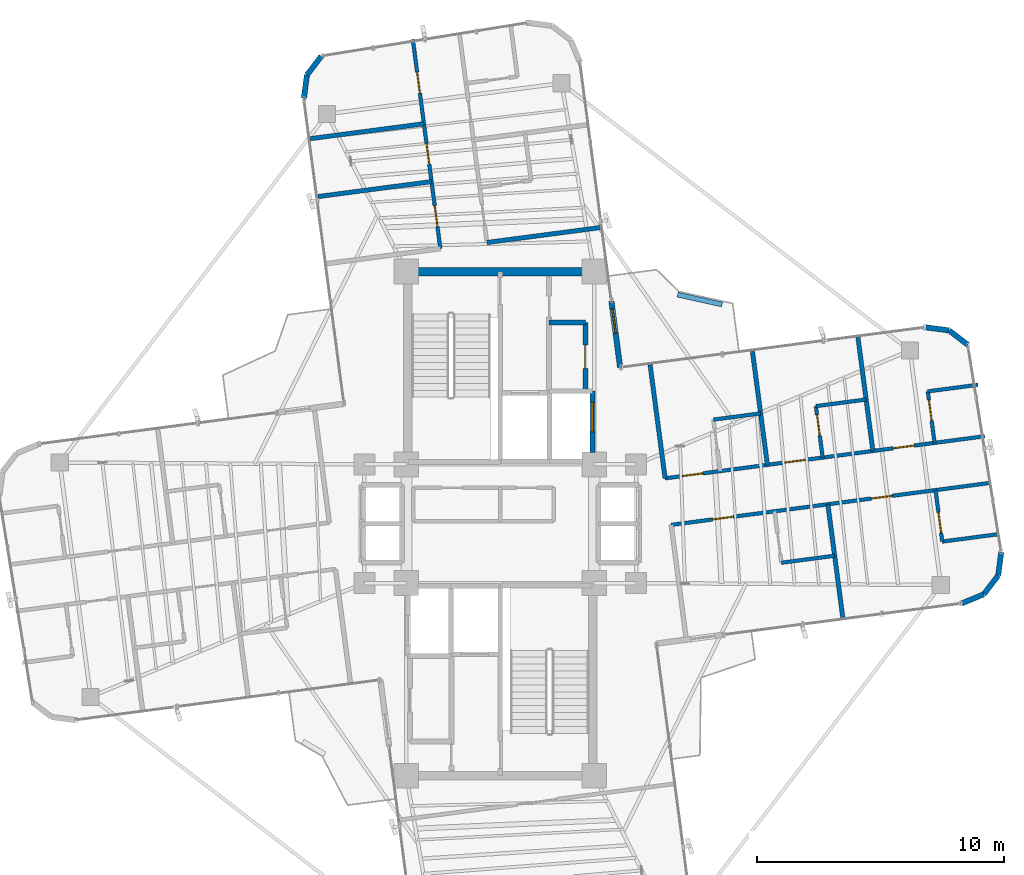
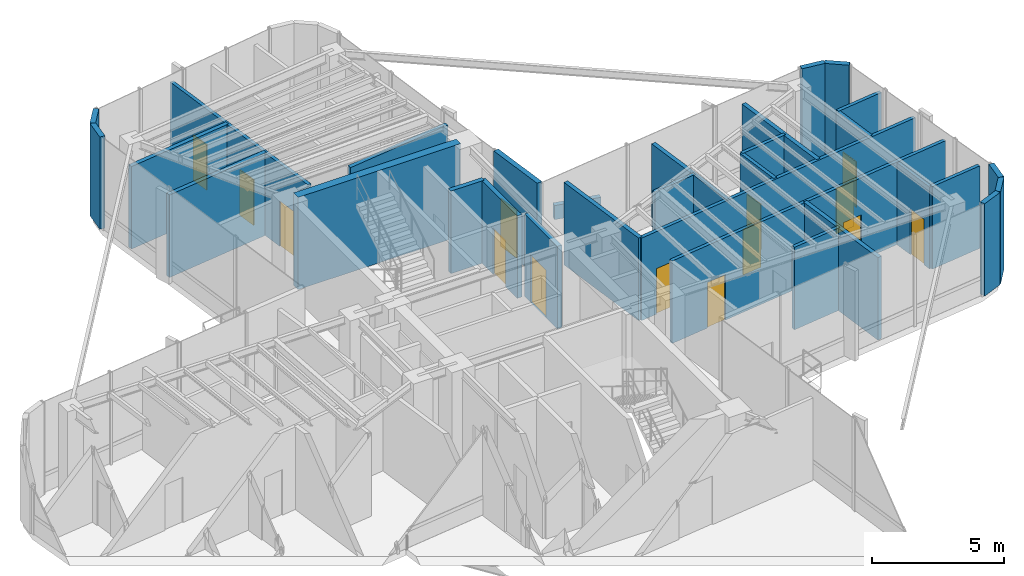
# One storey, part 18 of 20: 31 walls, 14 doors, 14 openings.
"""IFC4 building model written with IfcOpenShell, lengths in metres."""

from ifc_helpers import new_model, si_unit, direction, frame, frame_2d, origin, origin_2d, place, context, subcontext, project, spatial, rectangle, extrude, source, transform, mapped, material, layer, layer_set, type_object, element, fill, save


model = new_model("IFC4")

# Units and contexts
model_context = context("Model", 3, precision=1e-05, world=origin(), true_north=direction((0.0, 1.0)))
body_context = subcontext(model_context, "Body", "Model", "MODEL_VIEW")
ifc_project = project(units=[si_unit("LENGTHUNIT", "METRE"), si_unit("AREAUNIT", "SQUARE_METRE"), si_unit("VOLUMEUNIT", "CUBIC_METRE"), si_unit("PLANEANGLEUNIT", "RADIAN"), si_unit("MASSUNIT", "GRAM", prefix="KILO")], contexts=[model_context])

# Site, building, storey
site_placement = place(None, origin())
site = spatial("IfcSite", under=ifc_project, at=site_placement, CompositionType="ELEMENT")
building_placement = place(site_placement, origin())
building = spatial("IfcBuilding", under=site, at=building_placement, Name="Sahyath Konkavel Grand Hotel", CompositionType="ELEMENT")
storey_placement = place(building_placement, frame((0.0, 0.0, 229.949951171875)))
storey = spatial("IfcBuildingStorey", under=building, at=storey_placement, Name="L64", CompositionType="ELEMENT", Elevation=229.949951171875)

# Walls
ifc_material_1 = material(Name="Concrete C40/50", Category="concrete")
ifc_layer_1 = layer(ifc_material_1, 0.35009765625)
ifc_layer_set_1 = layer_set([ifc_layer_1], Name="Concrete C40/50")
wall_type_1 = type_object("IfcWallType", Name="CWALL-350", PredefinedType="SHEAR", material=ifc_layer_set_1)
wall_1_placement = place(storey_placement, frame((-3.550048828125, 10.199951171875, 0.0), z_axis=(0.0, 0.0, 1.0), x_axis=(1.0, 0.0, 0.0)))
element("IfcWall", 1, at=wall_1_placement, inside=storey, type_object=wall_type_1, Name="L64 North Core Shear Wall N", PredefinedType="SHEAR", context=body_context, shape_type="SweptSolid", body=[
    extrude(rectangle(XDim=7.10009765625, YDim=0.35009765625, at=frame_2d((3.550048828125, 0.0))), origin(), (0.0, 0.0, 1.0), 4.260009765625),
])
ifc_material_2 = material(Name="Warm Buff Sandstone Insulated Concrete C40/50", Category="masonry")
ifc_layer_2 = layer(ifc_material_2, 0.219970703125)
ifc_layer_set_2 = layer_set([ifc_layer_2], Name="Warm Buff Sandstone Insulated Concrete C40/50")
wall_type_2 = type_object("IfcWallType", Name="WLL-BALC-THRESH", PredefinedType="STANDARD", material=ifc_layer_set_2)
wall_2_placement = place(storey_placement, frame((18.677490234375, -3.22265625, 0.0), z_axis=(0.0, 0.0, 1.0), x_axis=(0.923889442397, 0.382659506909, 0.0)))
element("IfcWall", 2, at=wall_2_placement, inside=storey, type_object=wall_type_2, Name="L64 Rounded Corner Sandstone Pier 1", PredefinedType="STANDARD", context=body_context, shape_type="SweptSolid", body=[
    extrude(rectangle(XDim=0.957763671875, YDim=0.219970703125, at=frame_2d((0.47900390625, 0.0))), origin(), (0.0, 0.0, 1.0), 4.260009765625),
])
wall_3_placement = place(storey_placement, frame((19.562255859375, -2.856201171875, 0.0), z_axis=(0.0, 0.0, 1.0), x_axis=(0.60861352168, 0.793466811674, 0.0)))
element("IfcWall", 3, at=wall_3_placement, inside=storey, type_object=wall_type_2, Name="L64 Rounded Corner Sandstone Pier 2", PredefinedType="STANDARD", context=body_context, shape_type="SweptSolid", body=[
    extrude(rectangle(XDim=0.95751953125, YDim=0.219970703125, at=frame_2d((0.478759765625, 0.0))), origin(), (0.0, 0.0, 1.0), 4.260009765625),
])
wall_4_placement = place(storey_placement, frame((20.14501953125, -2.096435546875, 0.0), z_axis=(0.0, 0.0, 1.0), x_axis=(0.130527053476, 0.991444747987, 0.0)))
element("IfcWall", 4, at=wall_4_placement, inside=storey, type_object=wall_type_2, Name="L64 Rounded Corner Sandstone Pier 3", PredefinedType="STANDARD", context=body_context, shape_type="SweptSolid", body=[
    extrude(rectangle(XDim=0.957763671875, YDim=0.219970703125, at=frame_2d((0.47900390625, 0.0))), origin(), (0.0, 0.0, 1.0), 4.260009765625),
])
wall_5_placement = place(storey_placement, frame((18.916015625, 7.239013671875, 0.0), z_axis=(0.0, 0.0, 1.0), x_axis=(-0.793249178392, 0.608897151398, 0.0)))
element("IfcWall", 5, at=wall_5_placement, inside=storey, type_object=wall_type_2, Name="L64 Rounded Corner Sandstone Pier 5", PredefinedType="STANDARD", context=body_context, shape_type="SweptSolid", body=[
    extrude(rectangle(XDim=0.95751953125, YDim=0.219970703125, at=frame_2d((0.478759765625, 0.0))), origin(), (0.0, 0.0, 1.0), 4.260009765625),
])
wall_6_placement = place(storey_placement, frame((18.156494140625, 7.822021484375, 0.0), z_axis=(0.0, 0.0, 1.0), x_axis=(-0.991449089759, 0.130494070426, 0.0)))
element("IfcWall", 6, at=wall_6_placement, inside=storey, type_object=wall_type_2, Name="L64 Rounded Corner Sandstone Pier 6", PredefinedType="STANDARD", context=body_context, shape_type="SweptSolid", body=[
    extrude(rectangle(XDim=0.9580078125, YDim=0.219970703125, at=frame_2d((0.47900390625, 0.0))), origin(), (0.0, 0.0, 1.0), 4.260009765625),
])

# Wall, opening, door
wall_7_placement = place(storey_placement, frame((4.849609375, 6.320068359375, 0.0), z_axis=(0.0, 0.0, 1.0), x_axis=(-0.130475563272, 0.991451525486, 0.0)))
wall_7 = element("IfcWall", 7, at=wall_7_placement, inside=storey, type_object=wall_type_2, Name="L64 Winter-Garden Threshold Wall 8", PredefinedType="STANDARD", context=body_context, shape_type="SweptSolid", body=[
    extrude(rectangle(XDim=2.7001953125, YDim=0.219970703125, at=frame_2d((1.35009765625, 0.0))), origin(), (0.0, 0.0, 1.0), 4.260009765625),
])
opening_1_placement = place(wall_7_placement, frame((1.39990234375, 0.0, 0.0)))
opening_1 = element("IfcOpeningElement", 8, at=opening_1_placement, cuts=wall_7, Name="Opening D-TR1", PredefinedType="OPENING", context=body_context, shape_type="SweptSolid", body=[
    extrude(rectangle(XDim=1.0, YDim=2.199951171875, at=frame_2d((0.5, 1.10009765625))), frame((0.0, 0.1201171875, 0.0), z_axis=(0.0, -1.0, 0.0), x_axis=(1.0, 0.0, 0.0)), (0.0, 0.0, 1.0), 0.239990234375),
])
ifc_material_3 = material(Name="Anodised Bronze Aluminium & Low-E Glazing", Category="aluminium")
door_type_1 = type_object("IfcDoorType", Name="DR-TERRACE-1000", OperationType="NOTDEFINED", PredefinedType="DOOR", material=ifc_material_3)
shared_shape_1 = source(origin(), body_context, "Body", "SweptSolid", [
    extrude(rectangle(XDim=1.0, YDim=0.050048828125, at=origin_2d()), origin(), (0.0, 0.0, 1.0), 2.199951171875),
])
door_1_placement = place(opening_1_placement, frame((0.5, 0.0, 0.0)))
door_1 = element("IfcDoor", 9, at=door_1_placement, inside=storey, type_object=door_type_1, Name="L64 Winter-Garden Terrace Door 8", OperationType="SINGLE_SWING_LEFT", OverallHeight=2.199951171875, OverallWidth=1.0, PredefinedType="DOOR", context=body_context, shape_type="MappedRepresentation", body=[
    mapped(shared_shape_1, transform((0.0, 0.0, 0.0), scale=1.0)),
])
fill(opening_1, door_1)

# Walls
wall_8_placement = place(storey_placement, frame((-7.239013671875, 18.916015625, 0.0), z_axis=(0.0, 0.0, 1.0), x_axis=(-0.608897151398, -0.793249178392, 0.0)))
element("IfcWall", 10, at=wall_8_placement, inside=storey, type_object=wall_type_2, Name="L64 Rounded Corner Sandstone Pier 13", PredefinedType="STANDARD", context=body_context, shape_type="SweptSolid", body=[
    extrude(rectangle(XDim=0.95751953125, YDim=0.219970703125, at=frame_2d((0.478759765625, 0.0))), origin(), (0.0, 0.0, 1.0), 4.260009765625),
])
wall_9_placement = place(storey_placement, frame((-7.822021484375, 18.156494140625, 0.0), z_axis=(0.0, 0.0, 1.0), x_axis=(-0.130494070426, -0.991449089759, 0.0)))
element("IfcWall", 11, at=wall_9_placement, inside=storey, type_object=wall_type_2, Name="L64 Rounded Corner Sandstone Pier 14", PredefinedType="STANDARD", context=body_context, shape_type="SweptSolid", body=[
    extrude(rectangle(XDim=0.9580078125, YDim=0.219970703125, at=frame_2d((0.47900390625, 0.0))), origin(), (0.0, 0.0, 1.0), 4.260009765625),
])

# Wall, opening, door
ifc_layer_3 = layer(ifc_material_1, 0.199951171875)
ifc_layer_set_3 = layer_set([ifc_layer_3], Name="Concrete C40/50")
wall_type_3 = type_object("IfcWallType", Name="WLL-CORE-200", PredefinedType="SOLIDWALL", material=ifc_layer_set_3)
wall_10_placement = place(storey_placement, frame((3.739990234375, 2.8798828125, 0.0), z_axis=(0.0, 0.0, 1.0), x_axis=(0.0, 1.0, 0.0)))
wall_10 = element("IfcWall", 12, at=wall_10_placement, inside=storey, type_object=wall_type_3, Name="L64 Partition SH-SVL1-E", PredefinedType="SOLIDWALL", context=body_context, shape_type="SweptSolid", body=[
    extrude(rectangle(XDim=2.480224609375, YDim=0.199951171875, at=frame_2d((1.240234375, 0.0))), origin(), (0.0, 0.0, 1.0), 3.81005859375),
])
opening_2_placement = place(wall_10_placement, frame((0.840087890625, 0.0, 0.0)))
opening_2 = element("IfcOpeningElement", 13, at=opening_2_placement, cuts=wall_10, Name="Opening LD-12", PredefinedType="OPENING", context=body_context, shape_type="SweptSolid", body=[
    extrude(rectangle(XDim=1.199951171875, YDim=2.199951171875, at=frame_2d((0.60009765625, 1.10009765625))), frame((0.0, 0.10986328125, 0.0), z_axis=(0.0, -1.0, 0.0), x_axis=(1.0, 0.0, 0.0)), (0.0, 0.0, 1.0), 0.219970703125),
])
ifc_material_4 = material(Name="Stainless Steel Lift Landing Door 1200", Category="steel")
door_type_2 = type_object("IfcDoorType", Name="DR-LIFT-1200", OperationType="DOUBLE_DOOR_SLIDING", PredefinedType="DOOR", material=ifc_material_4)
shared_shape_2 = source(origin(), body_context, "Body", "SweptSolid", [
    extrude(rectangle(XDim=1.199951171875, YDim=0.050048828125, at=origin_2d()), origin(), (0.0, 0.0, 1.0), 2.199951171875),
])
door_2_placement = place(opening_2_placement, frame((0.60009765625, 0.0, 0.0)))
door_2 = element("IfcDoor", 14, at=door_2_placement, inside=storey, type_object=door_type_2, Name="L64 Service Lift SVL-1 Landing Door", OperationType="DOUBLE_DOOR_SLIDING", OverallHeight=2.199951171875, OverallWidth=1.199951171875, PredefinedType="DOOR", context=body_context, shape_type="MappedRepresentation", body=[
    mapped(shared_shape_2, transform((0.0, 0.0, 0.0), scale=1.0)),
])
fill(opening_2, door_2)

wall_11_placement = place(storey_placement, frame((3.43994140625, 5.3798828125, 0.0), z_axis=(0.0, 0.0, 1.0), x_axis=(0.0, 1.0, 0.0)))
wall_11 = element("IfcWall", 15, at=wall_11_placement, inside=storey, type_object=wall_type_3, Name="L64 Reclaimed North Core Wall E", PredefinedType="SOLIDWALL", context=body_context, shape_type="SweptSolid", body=[
    extrude(rectangle(XDim=2.77001953125, YDim=0.199951171875, at=frame_2d((1.385009765625, 0.0))), origin(), (0.0, 0.0, 1.0), 3.81005859375),
])
opening_3_placement = place(wall_11_placement, frame((0.89990234375, 0.0, 0.0)))
opening_3 = element("IfcOpeningElement", 16, at=opening_3_placement, cuts=wall_11, Name="Opening D-F06B", PredefinedType="OPENING", context=body_context, shape_type="SweptSolid", body=[
    extrude(rectangle(XDim=0.949951171875, YDim=2.14990234375, at=frame_2d((0.47509765625, 1.074951171875))), frame((0.0, 0.10986328125, 0.0), z_axis=(0.0, -1.0, 0.0), x_axis=(1.0, 0.0, 0.0)), (0.0, 0.0, 1.0), 0.219970703125),
])
ifc_material_5 = material(Name="Teak Veneer Fire-Rated Guest Entrance Door")
door_type_3 = type_object("IfcDoorType", Name="DR-FD60-950", OperationType="NOTDEFINED", PredefinedType="DOOR", material=ifc_material_5)
shared_shape_3 = source(origin(), body_context, "Body", "SweptSolid", [
    extrude(rectangle(XDim=0.949951171875, YDim=0.050048828125, at=origin_2d()), origin(), (0.0, 0.0, 1.0), 2.14990234375),
])
door_3_placement = place(opening_3_placement, frame((0.47509765625, 0.0, 0.0)))
door_3 = element("IfcDoor", 17, at=door_3_placement, inside=storey, type_object=door_type_3, Name="L64 Door NC-REC1-D", OperationType="SINGLE_SWING_RIGHT", OverallHeight=2.14990234375, OverallWidth=0.949951171875, PredefinedType="DOOR", context=body_context, shape_type="MappedRepresentation", body=[
    mapped(shared_shape_3, transform((0.0, 0.0, 0.0), scale=1.0)),
])
fill(opening_3, door_3)

# Walls
wall_12_placement = place(storey_placement, frame((1.97998046875, 8.14990234375, 0.0), z_axis=(0.0, 0.0, 1.0), x_axis=(1.0, 0.0, 0.0)))
element("IfcWall", 18, at=wall_12_placement, inside=storey, type_object=wall_type_3, Name="L64 Partition NC-REC-N", PredefinedType="SOLIDWALL", context=body_context, shape_type="SweptSolid", body=[
    extrude(rectangle(XDim=1.4599609375, YDim=0.199951171875, at=frame_2d((0.72998046875, 0.0))), origin(), (0.0, 0.0, 1.0), 3.81005859375),
])
ifc_material_6 = material(Name="Twin-Stud Acoustic Gypsum Plasterboard Partition")
ifc_layer_4 = layer(ifc_material_6, 0.179931640625)
ifc_layer_set_4 = layer_set([ifc_layer_4], Name="Twin-Stud Acoustic Gypsum Plasterboard Partition")
wall_type_4 = type_object("IfcWallType", Name="WLL-DEMISE-180", PredefinedType="PARTITIONING", material=ifc_layer_set_4)
wall_13_placement = place(storey_placement, frame((6.66748046875, 1.8359375, 0.0), z_axis=(0.0, 0.0, 1.0), x_axis=(-0.130530849518, 0.991444248218, 0.0)))
element("IfcWall", 19, at=wall_13_placement, inside=storey, type_object=wall_type_4, Name="L64 Partition E-INL", PredefinedType="PARTITIONING", context=body_context, shape_type="SweptSolid", body=[
    extrude(rectangle(XDim=4.6328125, YDim=0.179931640625, at=frame_2d((2.31640625, 0.0))), origin(), (0.0, 0.0, 1.0), 3.81005859375),
])
wall_14_placement = place(storey_placement, frame((10.806640625, 2.380859375, 0.0), z_axis=(0.0, 0.0, 1.0), x_axis=(-0.130524030119, 0.991445146017, 0.0)))
element("IfcWall", 20, at=wall_14_placement, inside=storey, type_object=wall_type_4, Name="L64 Partition E-E1L-DEM", PredefinedType="PARTITIONING", context=body_context, shape_type="SweptSolid", body=[
    extrude(rectangle(XDim=4.633056640625, YDim=0.179931640625, at=frame_2d((2.31640625, 0.0))), origin(), (0.0, 0.0, 1.0), 3.81005859375),
])
for number, where, z_axis, x_axis, name in (
    (21, (15.07568359375, 2.943115234375, 0.0), (0.0, 0.0, 1.0), (-0.1304790497, 0.991451066664, 0.0), "L64 Partition E-E2L-DEM"),
    (22, (13.253662109375, 0.78662109375, 0.0), (0.0, 0.0, 1.0), (0.130530849518, -0.991444248218, 0.0), "L64 Partition E-E1R-DEM"),
    (23, (4.0537109375, 11.981689453125, 0.0), (0.0, 0.0, 1.0), (-0.991444248218, -0.130530849518, 0.0), "L64 Partition N-INR"),
):
    element("IfcWall", number, at=place(storey_placement, frame(where, z_axis=z_axis, x_axis=x_axis)), inside=storey, type_object=wall_type_4, Name=name, PredefinedType="PARTITIONING", context=body_context, shape_type="SweptSolid", body=[
        extrude(rectangle(XDim=4.6328125, YDim=0.179931640625, at=frame_2d((2.31640625, 0.0))), origin(), (0.0, 0.0, 1.0), 3.81005859375),
    ])
wall_15_placement = place(storey_placement, frame((-2.7802734375, 13.840576171875, 0.0), z_axis=(0.0, 0.0, 1.0), x_axis=(-0.991445146017, -0.130524030119, 0.0)))
element("IfcWall", 24, at=wall_15_placement, inside=storey, type_object=wall_type_4, Name="L64 Partition N-N1L-DEM", PredefinedType="PARTITIONING", context=body_context, shape_type="SweptSolid", body=[
    extrude(rectangle(XDim=4.633056640625, YDim=0.179931640625, at=frame_2d((2.31640625, 0.0))), origin(), (0.0, 0.0, 1.0), 3.81005859375),
])
wall_16_placement = place(storey_placement, frame((-3.088623046875, 16.182373046875, 0.0), z_axis=(0.0, 0.0, 1.0), x_axis=(-0.991444248218, -0.130530849518, 0.0)))
element("IfcWall", 25, at=wall_16_placement, inside=storey, type_object=wall_type_4, Name="L64 Partition N-N2L-DEM", PredefinedType="PARTITIONING", context=body_context, shape_type="SweptSolid", body=[
    extrude(rectangle(XDim=4.6328125, YDim=0.179931640625, at=frame_2d((2.31640625, 0.0))), origin(), (0.0, 0.0, 1.0), 3.81005859375),
])

# Wall, openings, doors
ifc_material_7 = material(Name="Fire-Rated Gypsum Plasterboard Partition")
ifc_layer_5 = layer(ifc_material_7, 0.14990234375)
ifc_layer_set_5 = layer_set([ifc_layer_5], Name="Fire-Rated Gypsum Plasterboard Partition")
wall_type_5 = type_object("IfcWallType", Name="WLL-PART-150", PredefinedType="PARTITIONING", material=ifc_layer_set_5)
wall_17_placement = place(storey_placement, frame((6.66748046875, 1.8359375, 0.0), z_axis=(0.0, 0.0, 1.0), x_axis=(0.991443273426, 0.130538253316, 0.0)))
wall_17 = element("IfcWall", 26, at=wall_17_placement, inside=storey, type_object=wall_type_5, Name="L64 Partition E-CL", PredefinedType="PARTITIONING", context=body_context, shape_type="SweptSolid", body=[
    extrude(rectangle(XDim=13.046875, YDim=0.14990234375, at=frame_2d((6.5234375, 0.0))), origin(), (0.0, 0.0, 1.0), 3.81005859375),
])
opening_4_placement = place(wall_17_placement, frame((0.699951171875, 0.0, 0.0)))
opening_4 = element("IfcOpeningElement", 27, at=opening_4_placement, cuts=wall_17, Name="Opening D-F06D", PredefinedType="OPENING", context=body_context, shape_type="SweptSolid", body=[
    extrude(rectangle(XDim=0.85009765625, YDim=2.10009765625, at=frame_2d((0.425048828125, 1.050048828125))), frame((0.0, 0.0849609375, 0.0), z_axis=(0.0, -1.0, 0.0), x_axis=(1.0, 0.0, 0.0)), (0.0, 0.0, 1.0), 0.169921875),
])
opening_5_placement = place(wall_17_placement, frame((4.8779296875, 0.0, 0.0)))
opening_5 = element("IfcOpeningElement", 28, at=opening_5_placement, cuts=wall_17, Name="Opening D-F06D", PredefinedType="OPENING", context=body_context, shape_type="SweptSolid", body=[
    extrude(rectangle(XDim=0.85009765625, YDim=2.10009765625, at=frame_2d((0.425048828125, 1.050048828125))), frame((0.0, 0.0849609375, 0.0), z_axis=(0.0, -1.0, 0.0), x_axis=(1.0, 0.0, 0.0)), (0.0, 0.0, 1.0), 0.169921875),
])
opening_6_placement = place(wall_17_placement, frame((9.31396484375, 0.0, 0.0)))
opening_6 = element("IfcOpeningElement", 29, at=opening_6_placement, cuts=wall_17, Name="Opening D-F06D", PredefinedType="OPENING", context=body_context, shape_type="SweptSolid", body=[
    extrude(rectangle(XDim=0.85009765625, YDim=2.10009765625, at=frame_2d((0.425048828125, 1.050048828125))), frame((0.0, 0.0849609375, 0.0), z_axis=(0.0, -1.0, 0.0), x_axis=(1.0, 0.0, 0.0)), (0.0, 0.0, 1.0), 0.169921875),
])
ifc_material_8 = material(Name="Fire-Rated Shaft Access Door")
door_type_4 = type_object("IfcDoorType", Name="DR-FD60-850", OperationType="NOTDEFINED", PredefinedType="DOOR", material=ifc_material_8)
shared_shape_4 = source(origin(), body_context, "Body", "SweptSolid", [
    extrude(rectangle(XDim=0.85009765625, YDim=0.050048828125, at=origin_2d()), origin(), (0.0, 0.0, 1.0), 2.10009765625),
])
door_4_placement = place(opening_4_placement, frame((0.425048828125, 0.0, 0.0)))
door_4 = element("IfcDoor", 30, at=door_4_placement, inside=storey, type_object=door_type_4, Name="L64 Door E-E1L-ED", OperationType="SINGLE_SWING_LEFT", OverallHeight=2.10009765625, OverallWidth=0.85009765625, PredefinedType="DOOR", context=body_context, shape_type="MappedRepresentation", body=[
    mapped(shared_shape_4, transform((0.0, 0.0, 0.0), scale=1.0)),
])
fill(opening_4, door_4)
door_5_placement = place(opening_5_placement, frame((0.425048828125, 0.0, 0.0)))
door_5 = element("IfcDoor", 31, at=door_5_placement, inside=storey, type_object=door_type_4, Name="L64 Door E-E2L-ED", OperationType="SINGLE_SWING_LEFT", OverallHeight=2.10009765625, OverallWidth=0.85009765625, PredefinedType="DOOR", context=body_context, shape_type="MappedRepresentation", body=[
    mapped(shared_shape_4, transform((0.0, 0.0, 0.0), scale=1.0)),
])
fill(opening_5, door_5)
door_6_placement = place(opening_6_placement, frame((0.425048828125, 0.0, 0.0)))
door_6 = element("IfcDoor", 32, at=door_6_placement, inside=storey, type_object=door_type_4, Name="L64 Door E-E3L-ED", OperationType="SINGLE_SWING_LEFT", OverallHeight=2.10009765625, OverallWidth=0.85009765625, PredefinedType="DOOR", context=body_context, shape_type="MappedRepresentation", body=[
    mapped(shared_shape_4, transform((0.0, 0.0, 0.0), scale=1.0)),
])
fill(opening_6, door_6)

wall_18_placement = place(storey_placement, frame((6.915283203125, -0.0478515625, 0.0), z_axis=(0.0, 0.0, 1.0), x_axis=(0.991443592282, 0.130535831567, 0.0)))
wall_18 = element("IfcWall", 33, at=wall_18_placement, inside=storey, type_object=wall_type_5, Name="L64 Partition E-CR", PredefinedType="PARTITIONING", context=body_context, shape_type="SweptSolid", body=[
    extrude(rectangle(XDim=13.047119140625, YDim=0.14990234375, at=frame_2d((6.5234375, 0.0))), origin(), (0.0, 0.0, 1.0), 3.81005859375),
])
opening_7_placement = place(wall_18_placement, frame((1.68505859375, 0.0, 0.0)))
opening_7 = element("IfcOpeningElement", 34, at=opening_7_placement, cuts=wall_18, Name="Opening D-F06D", PredefinedType="OPENING", context=body_context, shape_type="SweptSolid", body=[
    extrude(rectangle(XDim=0.85009765625, YDim=2.10009765625, at=frame_2d((0.425048828125, 1.050048828125))), frame((0.0, 0.0849609375, 0.0), z_axis=(0.0, -1.0, 0.0), x_axis=(1.0, 0.0, 0.0)), (0.0, 0.0, 1.0), 0.169921875),
])
opening_8_placement = place(wall_18_placement, frame((8.1640625, 0.0, 0.0)))
opening_8 = element("IfcOpeningElement", 35, at=opening_8_placement, cuts=wall_18, Name="Opening D-F06D", PredefinedType="OPENING", context=body_context, shape_type="SweptSolid", body=[
    extrude(rectangle(XDim=0.85009765625, YDim=2.10009765625, at=frame_2d((0.425048828125, 1.050048828125))), frame((0.0, 0.0849609375, 0.0), z_axis=(0.0, -1.0, 0.0), x_axis=(1.0, 0.0, 0.0)), (0.0, 0.0, 1.0), 0.169921875),
])
door_7_placement = place(opening_7_placement, frame((0.425048828125, 0.0, 0.0)))
door_7 = element("IfcDoor", 36, at=door_7_placement, inside=storey, type_object=door_type_4, Name="L64 Door E-E1R-ED", OperationType="SINGLE_SWING_LEFT", OverallHeight=2.10009765625, OverallWidth=0.85009765625, PredefinedType="DOOR", context=body_context, shape_type="MappedRepresentation", body=[
    mapped(shared_shape_4, transform((0.0, 0.0, 0.0), scale=1.0)),
])
fill(opening_7, door_7)
door_8_placement = place(opening_8_placement, frame((0.425048828125, 0.0, 0.0)))
door_8 = element("IfcDoor", 37, at=door_8_placement, inside=storey, type_object=door_type_4, Name="L64 Door E-E2R-ED", OperationType="SINGLE_SWING_LEFT", OverallHeight=2.10009765625, OverallWidth=0.85009765625, PredefinedType="DOOR", context=body_context, shape_type="MappedRepresentation", body=[
    mapped(shared_shape_4, transform((0.0, 0.0, 0.0), scale=1.0)),
])
fill(opening_8, door_8)

# Wall
wall_19_placement = place(storey_placement, frame((8.6240234375, 4.211669921875, 0.0), z_axis=(0.0, 0.0, 1.0), x_axis=(0.991449115066, 0.130493878153, 0.0)))
element("IfcWall", 38, at=wall_19_placement, inside=storey, type_object=wall_type_5, Name="L64 Partition E-E1L-BF", PredefinedType="PARTITIONING", context=body_context, shape_type="SweptSolid", body=[
    extrude(rectangle(XDim=1.925048828125, YDim=0.14990234375, at=frame_2d((0.96240234375, 0.0))), origin(), (0.0, 0.0, 1.0), 3.81005859375),
])

# Wall, opening, door
wall_20_placement = place(storey_placement, frame((13.04345703125, 2.67529296875, 0.0), z_axis=(0.0, 0.0, 1.0), x_axis=(-0.130556761174, 0.991440836415, 0.0)))
wall_20 = element("IfcWall", 39, at=wall_20_placement, inside=storey, type_object=wall_type_5, Name="L64 Partition E-E2L-BS", PredefinedType="PARTITIONING", context=body_context, shape_type="SweptSolid", body=[
    extrude(rectangle(XDim=2.10009765625, YDim=0.14990234375, at=frame_2d((1.050048828125, 0.0))), origin(), (0.0, 0.0, 1.0), 3.81005859375),
])
opening_9_placement = place(wall_20_placement, frame((0.89990234375, 0.0, 0.0)))
opening_9 = element("IfcOpeningElement", 40, at=opening_9_placement, cuts=wall_20, Name="Opening D-BT85", PredefinedType="OPENING", context=body_context, shape_type="SweptSolid", body=[
    extrude(rectangle(XDim=0.85009765625, YDim=2.10009765625, at=frame_2d((0.425048828125, 1.050048828125))), frame((0.0, 0.0849609375, 0.0), z_axis=(0.0, -1.0, 0.0), x_axis=(1.0, 0.0, 0.0)), (0.0, 0.0, 1.0), 0.169921875),
])
ifc_material_9 = material(Name="Moisture-Resistant Teak Bathroom Door")
door_type_5 = type_object("IfcDoorType", Name="DR-BATH-850", OperationType="NOTDEFINED", PredefinedType="DOOR", material=ifc_material_9)
door_9_placement = place(opening_9_placement, frame((0.425048828125, 0.0, 0.0)))
door_9 = element("IfcDoor", 41, at=door_9_placement, inside=storey, type_object=door_type_5, Name="L64 Door E-E2L-BD", OperationType="SINGLE_SWING_RIGHT", OverallHeight=2.10009765625, OverallWidth=0.85009765625, PredefinedType="DOOR", context=body_context, shape_type="MappedRepresentation", body=[
    mapped(shared_shape_4, transform((0.0, 0.0, 0.0), scale=1.0)),
])
fill(opening_9, door_9)

# Wall
wall_21_placement = place(storey_placement, frame((12.769287109375, 4.75732421875, 0.0), z_axis=(0.0, 0.0, 1.0), x_axis=(0.991444969909, 0.13052536781, 0.0)))
element("IfcWall", 42, at=wall_21_placement, inside=storey, type_object=wall_type_5, Name="L64 Partition E-E2L-BF", PredefinedType="PARTITIONING", context=body_context, shape_type="SweptSolid", body=[
    extrude(rectangle(XDim=2.050048828125, YDim=0.14990234375, at=frame_2d((1.02490234375, 0.0))), origin(), (0.0, 0.0, 1.0), 3.81005859375),
])

# Wall, opening, door
wall_22_placement = place(storey_placement, frame((17.5703125, 3.271484375, 0.0), z_axis=(0.0, 0.0, 1.0), x_axis=(-0.130556761174, 0.991440836415, 0.0)))
wall_22 = element("IfcWall", 43, at=wall_22_placement, inside=storey, type_object=wall_type_5, Name="L64 Partition E-E3L-BS", PredefinedType="PARTITIONING", context=body_context, shape_type="SweptSolid", body=[
    extrude(rectangle(XDim=2.10009765625, YDim=0.14990234375, at=frame_2d((1.050048828125, 0.0))), origin(), (0.0, 0.0, 1.0), 3.81005859375),
])
opening_10_placement = place(wall_22_placement, frame((0.89990234375, 0.0, 0.0)))
opening_10 = element("IfcOpeningElement", 44, at=opening_10_placement, cuts=wall_22, Name="Opening D-BT85", PredefinedType="OPENING", context=body_context, shape_type="SweptSolid", body=[
    extrude(rectangle(XDim=0.85009765625, YDim=2.10009765625, at=frame_2d((0.425048828125, 1.050048828125))), frame((0.0, 0.0849609375, 0.0), z_axis=(0.0, -1.0, 0.0), x_axis=(1.0, 0.0, 0.0)), (0.0, 0.0, 1.0), 0.169921875),
])
door_10_placement = place(opening_10_placement, frame((0.425048828125, 0.0, 0.0)))
door_10 = element("IfcDoor", 45, at=door_10_placement, inside=storey, type_object=door_type_5, Name="L64 Door E-E3L-BD", OperationType="SINGLE_SWING_RIGHT", OverallHeight=2.10009765625, OverallWidth=0.85009765625, PredefinedType="DOOR", context=body_context, shape_type="MappedRepresentation", body=[
    mapped(shared_shape_4, transform((0.0, 0.0, 0.0), scale=1.0)),
])
fill(opening_10, door_10)

# Walls
wall_23_placement = place(storey_placement, frame((17.296142578125, 5.353515625, 0.0), z_axis=(0.0, 0.0, 1.0), x_axis=(0.991444969909, 0.13052536781, 0.0)))
element("IfcWall", 46, at=wall_23_placement, inside=storey, type_object=wall_type_5, Name="L64 Partition E-E3L-BF", PredefinedType="PARTITIONING", context=body_context, shape_type="SweptSolid", body=[
    extrude(rectangle(XDim=2.050048828125, YDim=0.14990234375, at=frame_2d((1.02490234375, 0.0))), origin(), (0.0, 0.0, 1.0), 3.81005859375),
])
wall_24_placement = place(storey_placement, frame((11.372314453125, -1.5791015625, 0.0), z_axis=(0.0, 0.0, 1.0), x_axis=(0.991450090664, 0.130486465665, 0.0)))
element("IfcWall", 47, at=wall_24_placement, inside=storey, type_object=wall_type_5, Name="L64 Partition E-E1R-BF", PredefinedType="PARTITIONING", context=body_context, shape_type="SweptSolid", body=[
    extrude(rectangle(XDim=2.174072265625, YDim=0.14990234375, at=frame_2d((1.0869140625, 0.0))), origin(), (0.0, 0.0, 1.0), 3.81005859375),
])

# Wall, opening, door
wall_25_placement = place(storey_placement, frame((17.608154296875, 1.360107421875, 0.0), z_axis=(0.0, 0.0, 1.0), x_axis=(0.130427449241, -0.991457856131, 0.0)))
wall_25 = element("IfcWall", 48, at=wall_25_placement, inside=storey, type_object=wall_type_5, Name="L64 Partition E-E2R-BS", PredefinedType="PARTITIONING", context=body_context, shape_type="SweptSolid", body=[
    extrude(rectangle(XDim=2.10009765625, YDim=0.14990234375, at=frame_2d((1.050048828125, 0.0))), origin(), (0.0, 0.0, 1.0), 3.780029296875),
])
opening_11_placement = place(wall_25_placement, frame((0.89990234375, 0.0, 0.0)))
opening_11 = element("IfcOpeningElement", 49, at=opening_11_placement, cuts=wall_25, Name="Opening D-BT85", PredefinedType="OPENING", context=body_context, shape_type="SweptSolid", body=[
    extrude(rectangle(XDim=0.85009765625, YDim=2.10009765625, at=frame_2d((0.425048828125, 1.050048828125))), frame((0.0, 0.0849609375, 0.0), z_axis=(0.0, -1.0, 0.0), x_axis=(1.0, 0.0, 0.0)), (0.0, 0.0, 1.0), 0.169921875),
])
door_11_placement = place(opening_11_placement, frame((0.425048828125, 0.0, 0.0)))
door_11 = element("IfcDoor", 50, at=door_11_placement, inside=storey, type_object=door_type_5, Name="L64 Door E-E2R-BD", OperationType="SINGLE_SWING_RIGHT", OverallHeight=2.10009765625, OverallWidth=0.85009765625, PredefinedType="DOOR", context=body_context, shape_type="MappedRepresentation", body=[
    mapped(shared_shape_4, transform((0.0, 0.0, 0.0), scale=1.0)),
])
fill(opening_11, door_11)

# Wall
wall_26_placement = place(storey_placement, frame((17.882080078125, -0.72216796875, 0.0), z_axis=(0.0, 0.0, 1.0), x_axis=(0.99143775836, 0.130580133625, 0.0)))
element("IfcWall", 51, at=wall_26_placement, inside=storey, type_object=wall_type_5, Name="L64 Partition E-E2R-BF", PredefinedType="PARTITIONING", context=body_context, shape_type="SweptSolid", body=[
    extrude(rectangle(XDim=2.26220703125, YDim=0.14990234375, at=frame_2d((1.131103515625, 0.0))), origin(), (0.0, 0.0, 1.0), 3.81005859375),
])

# Wall, openings, doors
wall_27_placement = place(storey_placement, frame((-2.42333984375, 11.12890625, 0.0), z_axis=(0.0, 0.0, 1.0), x_axis=(-0.130539485951, 0.99144311113, 0.0)))
wall_27 = element("IfcWall", 52, at=wall_27_placement, inside=storey, type_object=wall_type_5, Name="L64 Partition N-CL", PredefinedType="PARTITIONING", context=body_context, shape_type="SweptSolid", body=[
    extrude(rectangle(XDim=8.547119140625, YDim=0.14990234375, at=frame_2d((4.2734375, 0.0))), origin(), (0.0, 0.0, 1.0), 3.81005859375),
])
opening_12_placement = place(wall_27_placement, frame((0.89306640625, 0.0, 0.0)))
opening_12 = element("IfcOpeningElement", 53, at=opening_12_placement, cuts=wall_27, Name="Opening D-F06D", PredefinedType="OPENING", context=body_context, shape_type="SweptSolid", body=[
    extrude(rectangle(XDim=0.85009765625, YDim=2.10009765625, at=frame_2d((0.425048828125, 1.050048828125))), frame((0.0, 0.0849609375, 0.0), z_axis=(0.0, -1.0, 0.0), x_axis=(1.0, 0.0, 0.0)), (0.0, 0.0, 1.0), 0.169921875),
])
opening_13_placement = place(wall_27_placement, frame((3.44091796875, 0.0, 0.0)))
opening_13 = element("IfcOpeningElement", 54, at=opening_13_placement, cuts=wall_27, Name="Opening D-F06D", PredefinedType="OPENING", context=body_context, shape_type="SweptSolid", body=[
    extrude(rectangle(XDim=0.85009765625, YDim=2.10009765625, at=frame_2d((0.425048828125, 1.050048828125))), frame((0.0, 0.0849609375, 0.0), z_axis=(0.0, -1.0, 0.0), x_axis=(1.0, 0.0, 0.0)), (0.0, 0.0, 1.0), 0.169921875),
])
opening_14_placement = place(wall_27_placement, frame((6.346923828125, 0.0, 0.0)))
opening_14 = element("IfcOpeningElement", 55, at=opening_14_placement, cuts=wall_27, Name="Opening D-F06D", PredefinedType="OPENING", context=body_context, shape_type="SweptSolid", body=[
    extrude(rectangle(XDim=0.85009765625, YDim=2.10009765625, at=frame_2d((0.425048828125, 1.050048828125))), frame((0.0, 0.0849609375, 0.0), z_axis=(0.0, -1.0, 0.0), x_axis=(1.0, 0.0, 0.0)), (0.0, 0.0, 1.0), 0.169921875),
])
door_12_placement = place(opening_12_placement, frame((0.425048828125, 0.0, 0.0)))
door_12 = element("IfcDoor", 56, at=door_12_placement, inside=storey, type_object=door_type_4, Name="L64 Door N-N1L-D", OperationType="SINGLE_SWING_RIGHT", OverallHeight=2.10009765625, OverallWidth=0.85009765625, PredefinedType="DOOR", context=body_context, shape_type="MappedRepresentation", body=[
    mapped(shared_shape_4, transform((0.0, 0.0, 0.0), scale=1.0)),
])
fill(opening_12, door_12)
door_13_placement = place(opening_13_placement, frame((0.425048828125, 0.0, 0.0)))
door_13 = element("IfcDoor", 57, at=door_13_placement, inside=storey, type_object=door_type_4, Name="L64 Door N-N2L-D", OperationType="SINGLE_SWING_LEFT", OverallHeight=2.10009765625, OverallWidth=0.85009765625, PredefinedType="DOOR", context=body_context, shape_type="MappedRepresentation", body=[
    mapped(shared_shape_4, transform((0.0, 0.0, 0.0), scale=1.0)),
])
fill(opening_13, door_13)
door_14_placement = place(opening_14_placement, frame((0.425048828125, 0.0, 0.0)))
door_14 = element("IfcDoor", 58, at=door_14_placement, inside=storey, type_object=door_type_4, Name="L64 Door N-N3L-D", OperationType="SINGLE_SWING_RIGHT", OverallHeight=2.10009765625, OverallWidth=0.85009765625, PredefinedType="DOOR", context=body_context, shape_type="MappedRepresentation", body=[
    mapped(shared_shape_4, transform((0.0, 0.0, 0.0), scale=1.0)),
])
fill(opening_14, door_14)

# Wall
ifc_material_10 = material(Name="Warm Buff Sandstone Planter Wall", Category="masonry")
ifc_layer_6 = layer(ifc_material_10, 0.199951171875)
ifc_layer_set_6 = layer_set([ifc_layer_6], Name="Warm Buff Sandstone Planter Wall")
wall_type_6 = type_object("IfcWallType", Name="WLL-PLANTER-200", PredefinedType="PARAPET", material=ifc_layer_set_6)
wall_28_placement = place(storey_placement, frame((8.970703125, 8.86962890625, 0.0), z_axis=(0.0, 0.0, 1.0), x_axis=(-0.976087155652, 0.217379540368, 0.0)))
element("IfcWall", 59, at=wall_28_placement, inside=storey, type_object=wall_type_6, Name="L64 Sky-Garden Stone Planter PLANTER NE", PredefinedType="PARAPET", context=body_context, shape_type="SweptSolid", body=[
    extrude(rectangle(XDim=1.841796875, YDim=0.199951171875, at=frame_2d((0.9208984375, 0.0))), origin(), (0.0, 0.0, 1.0), 0.650146484375),
])

save(model, "model.ifc")
